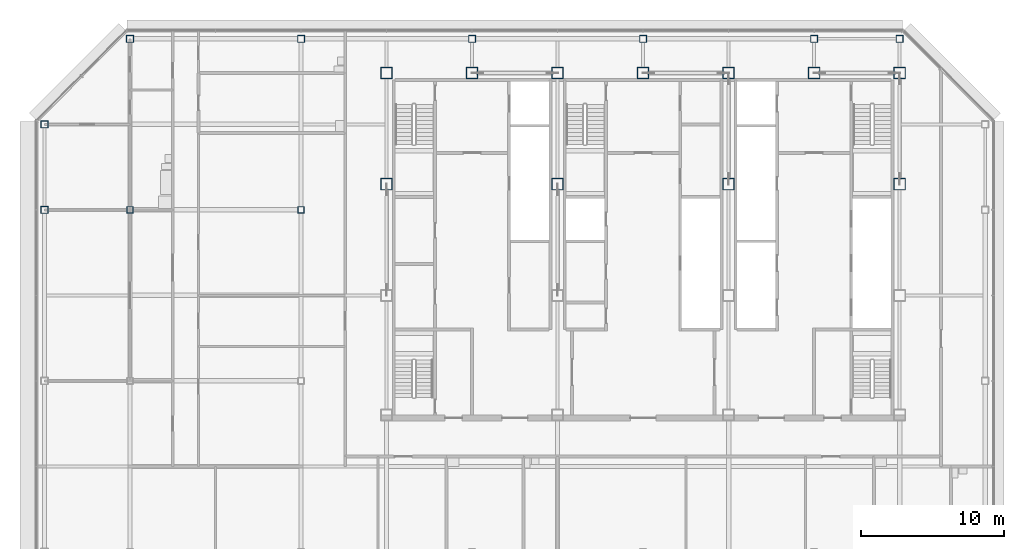
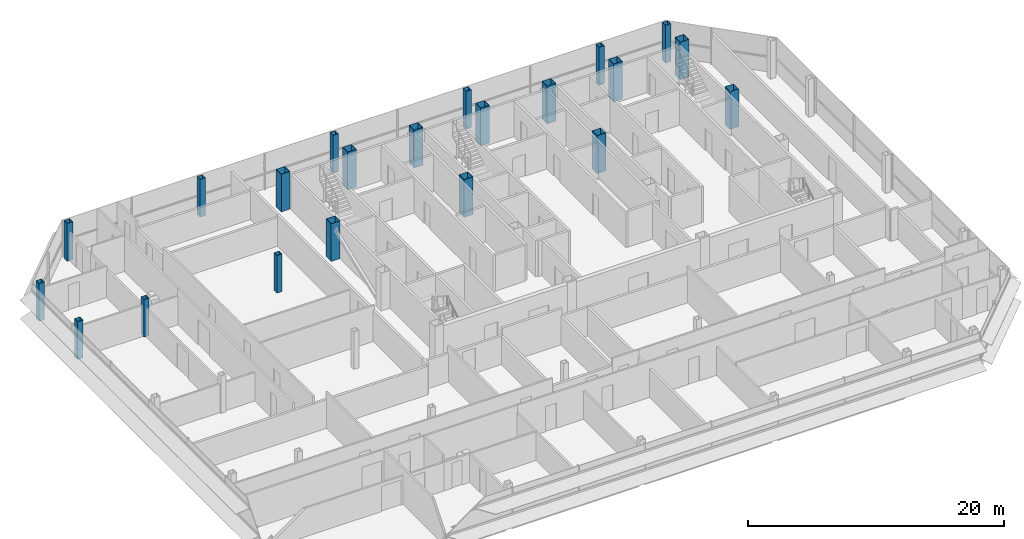
# One storey, part 2 of 27: 21 columns.
"""IFC4 building model written with IfcOpenShell, lengths in metres."""

from ifc_helpers import new_model, si_unit, direction, frame, origin, origin_2d, place, context, subcontext, project, spatial, hollow_rectangle, extrude, material, material_profile, profile_set, type_object, element, save


model = new_model("IFC4")

# Units and contexts
model_context = context("Model", 3, precision=1e-05, world=origin(), true_north=direction((0.0, 1.0)))
body_context = subcontext(model_context, "Body", "Model", "MODEL_VIEW")
ifc_project = project(units=[si_unit("LENGTHUNIT", "METRE"), si_unit("AREAUNIT", "SQUARE_METRE"), si_unit("VOLUMEUNIT", "CUBIC_METRE"), si_unit("PLANEANGLEUNIT", "RADIAN"), si_unit("MASSUNIT", "GRAM", prefix="KILO")], contexts=[model_context])

# Site, building, storey
site_placement = place(None, origin())
site = spatial("IfcSite", under=ifc_project, at=site_placement, CompositionType="ELEMENT")
building_placement = place(site_placement, origin())
building = spatial("IfcBuilding", under=site, at=building_placement, Name="Sorahane Residences", CompositionType="ELEMENT")
storey_placement = place(building_placement, frame((0.0, 0.0, 312.39990234375)))
storey = spatial("IfcBuildingStorey", under=building, at=storey_placement, Name="L74", CompositionType="ELEMENT", Elevation=312.39990234375)

# Columns
ifc_material_1 = material(Name="Steel Q355B", Category="steel")
ifc_material_profile_1 = material_profile(ifc_material_1, hollow_rectangle(XDim=0.449951171875, YDim=0.449951171875, WallThickness=0.02197265625, at=origin_2d()), Name="BOX 450x450x22")
ifc_profile_set_1 = profile_set([ifc_material_profile_1], Name="Steel Q355B")
column_type_1 = type_object("IfcColumnType", Name="Steel box column BOX 450x450x22 Q355B", PredefinedType="COLUMN", material=ifc_profile_set_1)
for number, where, z_axis, x_axis, name in (
    (1, (-12.0, 36.0, 0.0), (0.0, 0.0, 1.0), (1.0, 0.0, 0.0), "Column L74 m12/36"),
    (2, (0.0, 36.0, 0.0), (0.0, 0.0, 1.0), (1.0, 0.0, 0.0), "Column L74 0/36"),
):
    element("IfcColumn", number, at=place(storey_placement, frame(where, z_axis=z_axis, x_axis=x_axis)), inside=storey, type_object=column_type_1, Name=name, PredefinedType="COLUMN", context=body_context, shape_type="SweptSolid", body=[
        extrude(hollow_rectangle(XDim=0.449951171875, YDim=0.449951171875, WallThickness=0.02197265625, at=origin_2d()), origin(), (0.0, 0.0, 1.0), 3.60009765625),
    ])
ifc_material_2 = material(Name="Steel Q355B", Category="steel")
ifc_material_profile_2 = material_profile(ifc_material_2, hollow_rectangle(XDim=0.5, YDim=0.5, WallThickness=0.02490234375, at=origin_2d()), Name="BOX 500x500x25")
ifc_profile_set_2 = profile_set([ifc_material_profile_2], Name="Steel Q355B")
column_type_2 = type_object("IfcColumnType", Name="Steel box column BOX 500x500x25 Q355B", PredefinedType="COLUMN", material=ifc_profile_set_2)
for number, where, z_axis, x_axis, name in (
    (3, (-18.0, 36.0, 0.0), (0.0, 0.0, 1.0), (1.0, 0.0, 0.0), "Column L74 m18/36"),
    (4, (-18.0, 42.0, 0.0), (0.0, 0.0, 1.0), (1.0, 0.0, 0.0), "Column L74 m18/42"),
    (5, (-12.0, 48.0, 0.0), (0.0, 0.0, 1.0), (1.0, 0.0, 0.0), "Column L74 m12/48"),
    (6, (0.0, 48.0, 0.0), (0.0, 0.0, 1.0), (1.0, 0.0, 0.0), "Column L74 0/48"),
    (7, (12.0, 48.0, 0.0), (0.0, 0.0, 1.0), (1.0, 0.0, 0.0), "Column L74 12/48"),
    (8, (24.0, 48.0, 0.0), (0.0, 0.0, 1.0), (1.0, 0.0, 0.0), "Column L74 24/48"),
    (9, (36.0, 48.0, 0.0), (0.0, 0.0, 1.0), (1.0, 0.0, 0.0), "Column L74 36/48"),
    (10, (42.0, 48.0, 0.0), (0.0, 0.0, 1.0), (1.0, 0.0, 0.0), "Column L74 42/48"),
):
    element("IfcColumn", number, at=place(storey_placement, frame(where, z_axis=z_axis, x_axis=x_axis)), inside=storey, type_object=column_type_2, Name=name, PredefinedType="COLUMN", context=body_context, shape_type="SweptSolid", body=[
        extrude(hollow_rectangle(XDim=0.5, YDim=0.5, WallThickness=0.02490234375, at=origin_2d()), origin(), (0.0, 0.0, 1.0), 3.60009765625),
    ])
ifc_material_3 = material(Name="Steel Q355B", Category="steel")
ifc_material_profile_3 = material_profile(ifc_material_3, hollow_rectangle(XDim=0.800048828125, YDim=0.800048828125, WallThickness=0.02490234375, at=origin_2d()), Name="BOX 800x800x25")
ifc_profile_set_3 = profile_set([ifc_material_profile_3], Name="Steel Q355B")
column_type_3 = type_object("IfcColumnType", Name="Steel box column BOX 800x800x25 Q355B", PredefinedType="COLUMN", material=ifc_profile_set_3)
for number, where, z_axis, x_axis, name in (
    (11, (6.0, 37.800048828125, 0.0), (0.0, 0.0, 1.0), (1.0, 0.0, 0.0), "Column L74 6/37.8"),
    (12, (6.0, 45.60009765625, 0.0), (0.0, 0.0, 1.0), (1.0, 0.0, 0.0), "Column L74 6/45.6"),
    (13, (12.0, 45.60009765625, 0.0), (0.0, 0.0, 1.0), (1.0, 0.0, 0.0), "Column L74 12/45.6"),
    (14, (18.0, 37.800048828125, 0.0), (0.0, 0.0, 1.0), (1.0, 0.0, 0.0), "Column L74 18/37.8"),
    (15, (18.0, 45.60009765625, 0.0), (0.0, 0.0, 1.0), (1.0, 0.0, 0.0), "Column L74 18/45.6"),
    (16, (24.0, 45.60009765625, 0.0), (0.0, 0.0, 1.0), (1.0, 0.0, 0.0), "Column L74 24/45.6"),
    (17, (30.0, 37.800048828125, 0.0), (0.0, 0.0, 1.0), (1.0, 0.0, 0.0), "Column L74 30/37.8"),
    (18, (30.0, 45.60009765625, 0.0), (0.0, 0.0, 1.0), (1.0, 0.0, 0.0), "Column L74 30/45.6"),
    (19, (36.0, 45.60009765625, 0.0), (0.0, 0.0, 1.0), (1.0, 0.0, 0.0), "Column L74 36/45.6"),
    (20, (42.0, 37.800048828125, 0.0), (0.0, 0.0, 1.0), (1.0, 0.0, 0.0), "Column L74 42/37.8"),
    (21, (42.0, 45.60009765625, 0.0), (0.0, 0.0, 1.0), (1.0, 0.0, 0.0), "Column L74 42/45.6"),
):
    element("IfcColumn", number, at=place(storey_placement, frame(where, z_axis=z_axis, x_axis=x_axis)), inside=storey, type_object=column_type_3, Name=name, PredefinedType="COLUMN", context=body_context, shape_type="SweptSolid", body=[
        extrude(hollow_rectangle(XDim=0.800048828125, YDim=0.800048828125, WallThickness=0.02490234375, at=origin_2d()), origin(), (0.0, 0.0, 1.0), 3.60009765625),
    ])

save(model, "model.ifc")
